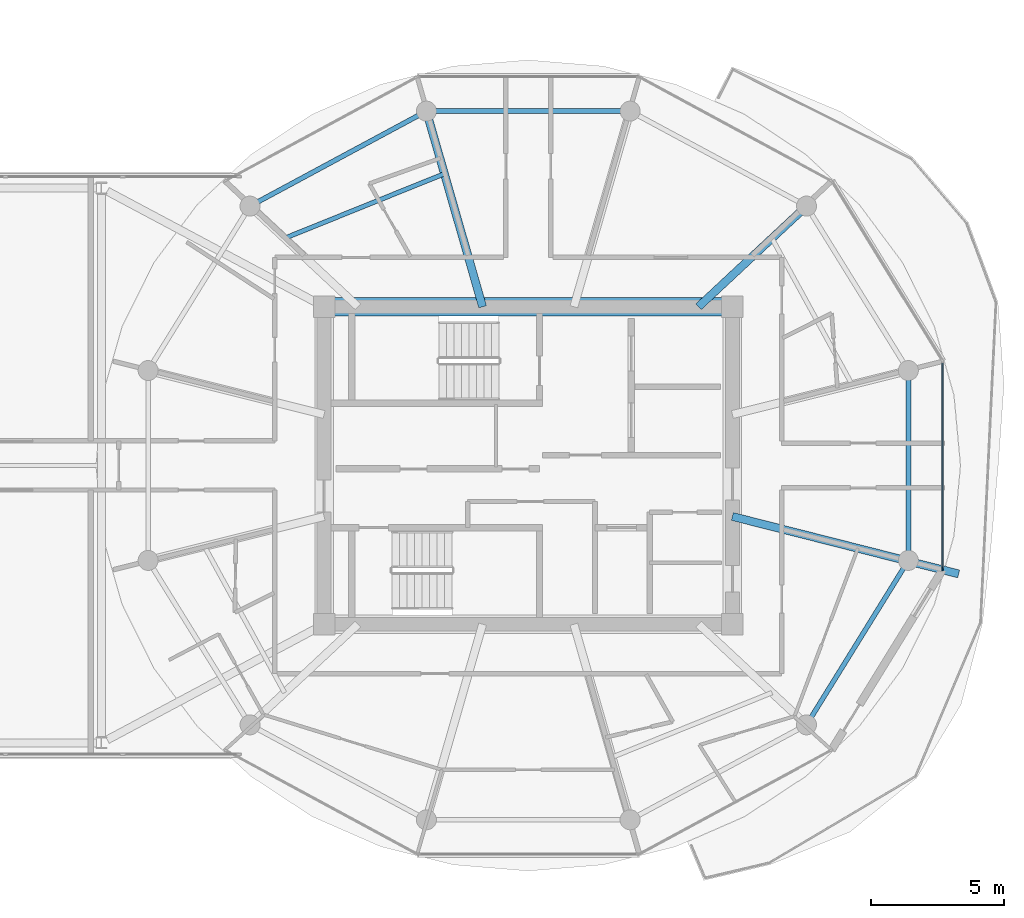
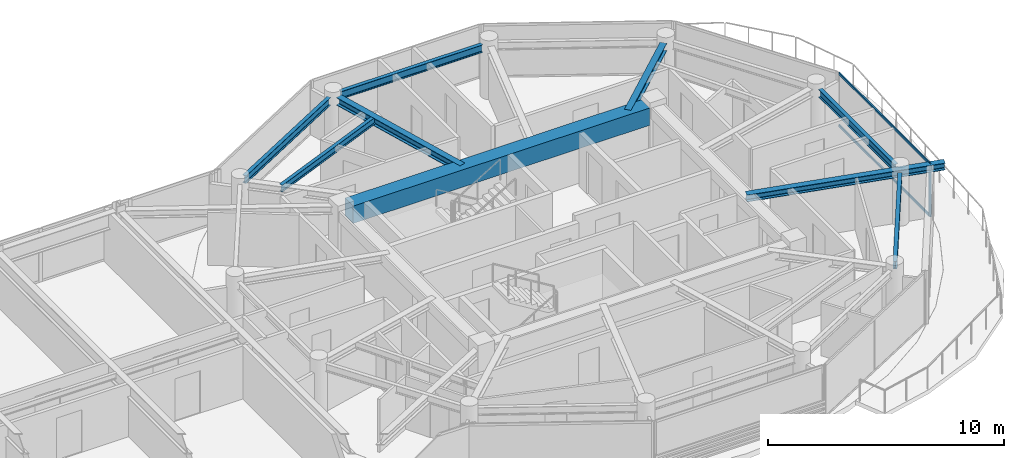
# One storey, part 10 of 23: 9 beams, 3 members, 1 element without a shape of its own.
"""IFC4 building model written with IfcOpenShell, lengths in metres."""

from ifc_helpers import new_model, si_unit, direction, frame, origin, origin_2d, place, context, subcontext, project, spatial, rectangle, i_section, extrude, source, transform, mapped, material, layer, layer_set, material_profile, profile_set, type_object, type_shapes, element, aggregate, save


model = new_model("IFC4")

# Units and contexts
model_context = context("Model", 3, precision=1e-05, world=origin(), true_north=direction((0.0, 1.0)))
body_context = subcontext(model_context, "Body", "Model", "MODEL_VIEW")
ifc_project = project(units=[si_unit("LENGTHUNIT", "METRE"), si_unit("AREAUNIT", "SQUARE_METRE"), si_unit("VOLUMEUNIT", "CUBIC_METRE"), si_unit("PLANEANGLEUNIT", "RADIAN"), si_unit("MASSUNIT", "GRAM", prefix="KILO")], contexts=[model_context])

# Site, building, storey
site_placement = place(None, origin())
site = spatial("IfcSite", under=ifc_project, at=site_placement, CompositionType="ELEMENT")
building_placement = place(site_placement, origin())
building = spatial("IfcBuilding", under=site, at=building_placement, Name="Norrkilde Senior Care Towers", CompositionType="ELEMENT")
storey_placement = place(building_placement, frame((0.0, 0.0, 207.800048828125)))
storey = spatial("IfcBuildingStorey", under=building, at=storey_placement, Name="L64", CompositionType="ELEMENT", Elevation=207.800048828125)

# Beams
ifc_material_1 = material(Name="Concrete C60/75", Category="concrete")
ifc_material_profile_1 = material_profile(ifc_material_1, rectangle(XDim=0.699951171875, YDim=0.89990234375, at=origin_2d()), Name="RC BM 700x900")
ifc_profile_set_1 = profile_set([ifc_material_profile_1], Name="Concrete C60/75")
beam_type_1 = type_object("IfcBeamType", Name="Core Coupling Girder 700x900", PredefinedType="USERDEFINED", material=ifc_profile_set_1)
shared_shape_1 = source(origin(), body_context, "Body", "SweptSolid", [
    extrude(rectangle(XDim=0.699951171875, YDim=0.89990234375, at=origin_2d()), origin(), (0.0, 0.0, 1.0), 14.5400390625),
])
type_shapes(beam_type_1, [shared_shape_1])
beam_1_placement = place(storey_placement, frame((20.72998046875, 5.949951171875, 2.31005859375), z_axis=(1.0, 0.0, 0.0), x_axis=(0.0, 1.0, 0.0)))
element("IfcBeam", 1, at=beam_1_placement, inside=storey, type_object=beam_type_1, Name="L64 Core E N Coupling Girder", ObjectType="GIRDER", PredefinedType="USERDEFINED", context=body_context, shape_type="MappedRepresentation", body=[
    mapped(shared_shape_1, transform((0.0, 0.0, 0.0), x_axis=(1.0, 0.0, 0.0), y_axis=(0.0, 1.0, 0.0), z_axis=(0.0, 0.0, 1.0), scale=1.0)),
])
ifc_material_2 = material(Name="Steel S355", Category="steel")
ifc_material_profile_2 = material_profile(ifc_material_2, i_section(OverallWidth=0.179931640625, OverallDepth=0.39990234375, WebThickness=0.008544921875, FlangeThickness=0.013427734375, FilletRadius=0.02099609375, at=origin_2d()), Name="IPE 400")
ifc_profile_set_2 = profile_set([ifc_material_profile_2], Name="Steel S355")
beam_type_2 = type_object("IfcBeamType", Name="Perimeter Ring Spandrel Z4 IPE400", PredefinedType="SPANDREL", material=ifc_profile_set_2)
shared_shape_2 = source(origin(), body_context, "Body", "SweptSolid", [
    extrude(i_section(OverallWidth=0.179931640625, OverallDepth=0.39990234375, WebThickness=0.008544921875, FlangeThickness=0.013427734375, FilletRadius=0.02099609375, at=origin_2d()), origin(), (0.0, 0.0, 1.0), 6.58056640625),
])
beam_2_placement = place(storey_placement, frame((38.606201171875, -9.43798828125, 2.56005859375), z_axis=(0.526529583789, 0.850156807533, 0.0), x_axis=(-0.850156807533, 0.526529583789, 0.0)))
element("IfcBeam", 2, at=beam_2_placement, inside=storey, type_object=beam_type_2, Name="L64 Drum E Perimeter Spandrel 11", PredefinedType="SPANDREL", context=body_context, shape_type="MappedRepresentation", body=[
    mapped(shared_shape_2, transform((0.0, 0.0, 0.0), x_axis=(1.0, 0.0, 0.0), y_axis=(0.0, 1.0, 0.0), z_axis=(0.0, 0.0, 1.0), scale=1.0)),
])
shared_shape_3 = source(origin(), body_context, "Body", "SweptSolid", [
    extrude(i_section(OverallWidth=0.179931640625, OverallDepth=0.39990234375, WebThickness=0.008544921875, FlangeThickness=0.013427734375, FilletRadius=0.02099609375, at=origin_2d()), origin(), (0.0, 0.0, 1.0), 6.839111328125),
])
beam_3_placement = place(storey_placement, frame((23.887451171875, 13.122802734375, 2.56005859375), z_axis=(-0.880563930732, -0.473927382511, 0.0), x_axis=(0.473927382511, -0.880563930732, 0.0)))
element("IfcBeam", 3, at=beam_3_placement, inside=storey, type_object=beam_type_2, Name="L64 Drum E Perimeter Spandrel 04", PredefinedType="SPANDREL", context=body_context, shape_type="MappedRepresentation", body=[
    mapped(shared_shape_3, transform((0.0, 0.0, 0.0), x_axis=(1.0, 0.0, 0.0), y_axis=(0.0, 1.0, 0.0), z_axis=(0.0, 0.0, 1.0), scale=1.0)),
])
ifc_material_profile_3 = material_profile(ifc_material_2, i_section(OverallWidth=0.300048828125, OverallDepth=0.39990234375, WebThickness=0.013427734375, FlangeThickness=0.02392578125, FilletRadius=0.027099609375, at=origin_2d()), Name="HEB 400")
ifc_profile_set_3 = profile_set([ifc_material_profile_3], Name="Steel S355")
beam_type_3 = type_object("IfcBeamType", Name="Radial Floor Beam Z4 HEB400", PredefinedType="BEAM", material=ifc_profile_set_3)
shared_shape_4 = source(origin(), body_context, "Body", "SweptSolid", [
    extrude(i_section(OverallWidth=0.300048828125, OverallDepth=0.39990234375, WebThickness=0.013427734375, FlangeThickness=0.02392578125, FilletRadius=0.027099609375, at=origin_2d()), origin(), (0.0, 0.0, 1.0), 5.197998046875),
])
beam_4_placement = place(storey_placement, frame((34.3828125, 5.949951171875, 2.56005859375), z_axis=(0.731448749334, 0.681896419625, 0.0), x_axis=(-0.681896419625, 0.731448749334, 0.0)))
element("IfcBeam", 4, at=beam_4_placement, inside=storey, type_object=beam_type_3, Name="L64 Drum E Radial Floor Beam 02", PredefinedType="BEAM", context=body_context, shape_type="MappedRepresentation", body=[
    mapped(shared_shape_4, transform((0.0, 0.0, 0.0), x_axis=(1.0, 0.0, 0.0), y_axis=(0.0, 1.0, 0.0), z_axis=(0.0, 0.0, 1.0), scale=1.0)),
])
shared_shape_5 = source(origin(), body_context, "Body", "SweptSolid", [
    extrude(i_section(OverallWidth=0.179931640625, OverallDepth=0.39990234375, WebThickness=0.008544921875, FlangeThickness=0.013427734375, FilletRadius=0.02099609375, at=origin_2d()), origin(), (0.0, 0.0, 1.0), 6.96533203125),
])
beam_5_placement = place(storey_placement, frame((31.482666015625, 13.281494140625, 2.56005859375), z_axis=(-1.0, 0.0, 0.0), x_axis=(0.0, -1.0, 0.0)))
element("IfcBeam", 5, at=beam_5_placement, inside=storey, type_object=beam_type_2, Name="L64 Drum E Perimeter Spandrel 03", PredefinedType="SPANDREL", context=body_context, shape_type="MappedRepresentation", body=[
    mapped(shared_shape_5, transform((0.0, 0.0, 0.0), x_axis=(1.0, 0.0, 0.0), y_axis=(0.0, 1.0, 0.0), z_axis=(0.0, 0.0, 1.0), scale=1.0)),
])
shared_shape_6 = source(origin(), body_context, "Body", "SweptSolid", [
    extrude(i_section(OverallWidth=0.300048828125, OverallDepth=0.39990234375, WebThickness=0.013427734375, FlangeThickness=0.02392578125, FilletRadius=0.027099609375, at=origin_2d()), origin(), (0.0, 0.0, 1.0), 7.29345703125),
])
type_shapes(beam_type_3, [shared_shape_4, shared_shape_6])
beam_6_placement = place(storey_placement, frame((26.289794921875, 5.949951171875, 2.56005859375), z_axis=(-0.276263751906, 0.961081858836, 0.0), x_axis=(-0.961081858836, -0.276263751906, 0.0)))
element("IfcBeam", 6, at=beam_6_placement, inside=storey, type_object=beam_type_3, Name="L64 Drum E Radial Floor Beam 04", PredefinedType="BEAM", context=body_context, shape_type="MappedRepresentation", body=[
    mapped(shared_shape_6, transform((0.0, 0.0, 0.0), x_axis=(1.0, 0.0, 0.0), y_axis=(0.0, 1.0, 0.0), z_axis=(0.0, 0.0, 1.0), scale=1.0)),
])
shared_shape_7 = source(origin(), body_context, "Body", "SweptSolid", [
    extrude(i_section(OverallWidth=0.179931640625, OverallDepth=0.39990234375, WebThickness=0.008544921875, FlangeThickness=0.013427734375, FilletRadius=0.02099609375, at=origin_2d()), origin(), (0.0, 0.0, 1.0), 6.44775390625),
])
type_shapes(beam_type_2, [shared_shape_2, shared_shape_3, shared_shape_5, shared_shape_7])
beam_7_placement = place(storey_placement, frame((42.247314453125, -3.223876953125, 2.56005859375), z_axis=(0.0, 1.0, 0.0), x_axis=(-1.0, 0.0, 0.0)))
element("IfcBeam", 7, at=beam_7_placement, inside=storey, type_object=beam_type_2, Name="L64 Drum E Perimeter Spandrel 12", PredefinedType="SPANDREL", context=body_context, shape_type="MappedRepresentation", body=[
    mapped(shared_shape_7, transform((0.0, 0.0, 0.0), x_axis=(1.0, 0.0, 0.0), y_axis=(0.0, 1.0, 0.0), z_axis=(0.0, 0.0, 1.0), scale=1.0)),
])
ifc_material_profile_4 = material_profile(ifc_material_2, i_section(OverallWidth=0.169921875, OverallDepth=0.360107421875, WebThickness=0.008056640625, FlangeThickness=0.0126953125, FilletRadius=0.01806640625, at=origin_2d()), Name="IPE 360")
ifc_profile_set_4 = profile_set([ifc_material_profile_4], Name="Steel S355")
beam_type_4 = type_object("IfcBeamType", Name="Secondary Floor Joist IPE360", PredefinedType="JOIST", material=ifc_profile_set_4)
shared_shape_8 = source(origin(), body_context, "Body", "SweptSolid", [
    extrude(i_section(OverallWidth=0.169921875, OverallDepth=0.360107421875, WebThickness=0.008056640625, FlangeThickness=0.0126953125, FilletRadius=0.01806640625, at=origin_2d()), origin(), (0.0, 0.0, 1.0), 6.461669921875),
])
type_shapes(beam_type_4, [shared_shape_8])
beam_8_placement = place(storey_placement, frame((24.856689453125, 10.935302734375, 2.579833984375), z_axis=(-0.927225942298, -0.374502405772, 0.0), x_axis=(0.374502405772, -0.927225942298, 0.0)))
element("IfcBeam", 8, at=beam_8_placement, inside=storey, type_object=beam_type_4, Name="L64 Drum E Secondary Floor Joist 2", PredefinedType="JOIST", context=body_context, shape_type="MappedRepresentation", body=[
    mapped(shared_shape_8, transform((0.0, 0.0, 0.0), x_axis=(1.0, 0.0, 0.0), y_axis=(0.0, 1.0, 0.0), z_axis=(0.0, 0.0, 1.0), scale=1.0)),
])
ifc_material_profile_5 = material_profile(ifc_material_2, i_section(OverallWidth=0.300048828125, OverallDepth=0.360107421875, WebThickness=0.012451171875, FlangeThickness=0.0224609375, FilletRadius=0.027099609375, at=origin_2d()), Name="HEB 360")
ifc_profile_set_5 = profile_set([ifc_material_profile_5], Name="Steel S355")
beam_type_5 = type_object("IfcBeamType", Name="Balcony Crest Cantilever Rib HEB360", PredefinedType="BEAM", material=ifc_profile_set_5)
shared_shape_9 = source(origin(), body_context, "Body", "SweptSolid", [
    extrude(i_section(OverallWidth=0.300048828125, OverallDepth=0.360107421875, WebThickness=0.012451171875, FlangeThickness=0.0224609375, FilletRadius=0.027099609375, at=origin_2d()), origin(), (0.0, 0.0, 1.0), 8.749755859375),
])
type_shapes(beam_type_5, [shared_shape_9])
beam_9_placement = place(storey_placement, frame((35.64990234375, -1.910888671875, 2.579833984375), z_axis=(0.969266368231, -0.246013632584, 0.0), x_axis=(0.246013632584, 0.969266368231, 0.0)))
element("IfcBeam", 9, at=beam_9_placement, inside=storey, type_object=beam_type_5, Name="L64 Drum E Balcony Cantilever Rib", PredefinedType="BEAM", context=body_context, shape_type="MappedRepresentation", body=[
    mapped(shared_shape_9, transform((0.0, 0.0, 0.0), x_axis=(1.0, 0.0, 0.0), y_axis=(0.0, 1.0, 0.0), z_axis=(0.0, 0.0, 1.0), scale=1.0)),
])

# Curtain wall, members
ifc_material_3 = material(Name="Triple Low-E Insulated Glazing", Category="glass")
ifc_layer = layer(ifc_material_3, 0.18505859375)
ifc_layer_set = layer_set([ifc_layer], Name="Triple Low-E Insulated Glazing")
curtain_wall_type = type_object("IfcCurtainWallType", Name="CW6 Zone 4 Crown Pavilion Curtain Wall", PredefinedType="NOTDEFINED", material=ifc_layer_set)
curtain_wall_placement = place(storey_placement, origin())
curtain_wall = element("IfcCurtainWall", 10, at=curtain_wall_placement, inside=storey, type_object=curtain_wall_type, Name="L64 Drum E Curtain Wall 11", PredefinedType="NOTDEFINED")
ifc_material_4 = material(Name="Anodised Aluminium", Category="aluminium")
ifc_material_profile_6 = material_profile(ifc_material_4, rectangle(XDim=0.06005859375, YDim=0.1201171875, at=origin_2d()), Name="ALU TRAN 60x120")
ifc_profile_set_6 = profile_set([ifc_material_profile_6], Name="Anodised Aluminium")
member_type_1 = type_object("IfcMemberType", Name="Curtain Wall Transom Typical 60x120", PredefinedType="USERDEFINED", material=ifc_profile_set_6)
shared_shape_10 = source(origin(), body_context, "Body", "SweptSolid", [
    extrude(rectangle(XDim=0.06005859375, YDim=0.1201171875, at=origin_2d()), origin(), (0.0, 0.0, 1.0), 7.67578125),
])
type_shapes(member_type_1, [shared_shape_10])
member_1_placement = place(storey_placement, frame((43.531982421875, 3.837890625, 0.030029296875), z_axis=(0.0, -1.0, 0.0), x_axis=(1.0, 0.0, 0.0)))
member_1 = element("IfcMember", 11, at=member_1_placement, type_object=member_type_1, Name="CW-6 transom 1.1", ObjectType="TRANSOM", PredefinedType="USERDEFINED", context=body_context, shape_type="MappedRepresentation", body=[
    mapped(shared_shape_10, transform((0.0, 0.0, 0.0), x_axis=(1.0, 0.0, 0.0), y_axis=(0.0, 1.0, 0.0), z_axis=(0.0, 0.0, 1.0), scale=1.0)),
])
member_2_placement = place(storey_placement, frame((43.531982421875, 3.837890625, 2.72998046875), z_axis=(0.0, -1.0, 0.0), x_axis=(1.0, 0.0, 0.0)))
member_2 = element("IfcMember", 12, at=member_2_placement, type_object=member_type_1, Name="CW-6 transom 1.2", ObjectType="TRANSOM", PredefinedType="USERDEFINED", context=body_context, shape_type="MappedRepresentation", body=[
    mapped(shared_shape_10, transform((0.0, 0.0, 0.0), x_axis=(1.0, 0.0, 0.0), y_axis=(0.0, 1.0, 0.0), z_axis=(0.0, 0.0, 1.0), scale=1.0)),
])
ifc_material_profile_7 = material_profile(ifc_material_4, rectangle(XDim=0.06494140625, YDim=0.14990234375, at=origin_2d()), Name="ALU MULL 65x150")
ifc_profile_set_7 = profile_set([ifc_material_profile_7], Name="Anodised Aluminium")
member_type_2 = type_object("IfcMemberType", Name="Curtain Wall Mullion Z3-Z4 65x150", PredefinedType="MULLION", material=ifc_profile_set_7)
shared_shape_11 = source(origin(), body_context, "Body", "SweptSolid", [
    extrude(rectangle(XDim=0.06494140625, YDim=0.14990234375, at=origin_2d()), origin(), (0.0, 0.0, 1.0), 2.760009765625),
])
type_shapes(member_type_2, [shared_shape_11])
member_3_placement = place(storey_placement, frame((43.531982421875, -3.87060546875, 0.0), z_axis=(0.0, 0.0, 1.0), x_axis=(1.0, 0.0, 0.0)))
member_3 = element("IfcMember", 13, at=member_3_placement, type_object=member_type_2, Name="CW-6 mullion 2", PredefinedType="MULLION", context=body_context, shape_type="MappedRepresentation", body=[
    mapped(shared_shape_11, transform((0.0, 0.0, 0.0), x_axis=(1.0, 0.0, 0.0), y_axis=(0.0, 1.0, 0.0), z_axis=(0.0, 0.0, 1.0), scale=1.0)),
])
aggregate(curtain_wall, [member_3, member_1, member_2])

save(model, "model.ifc")
